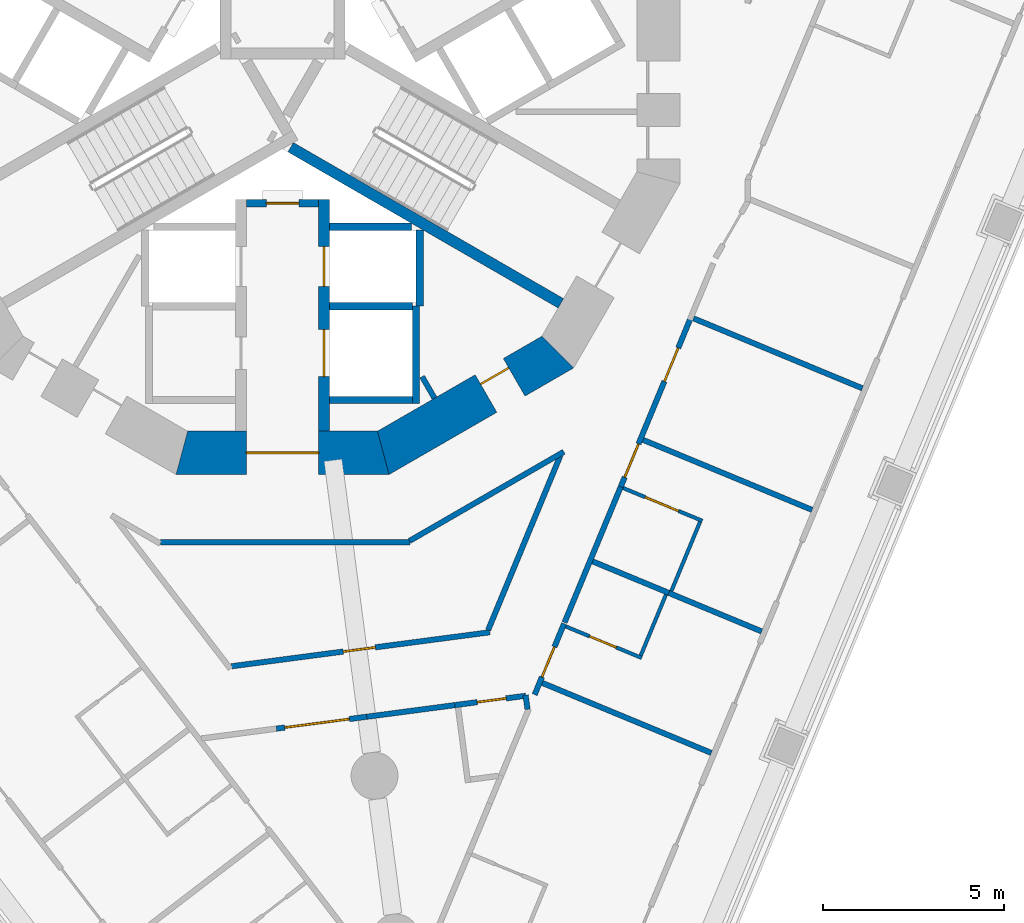
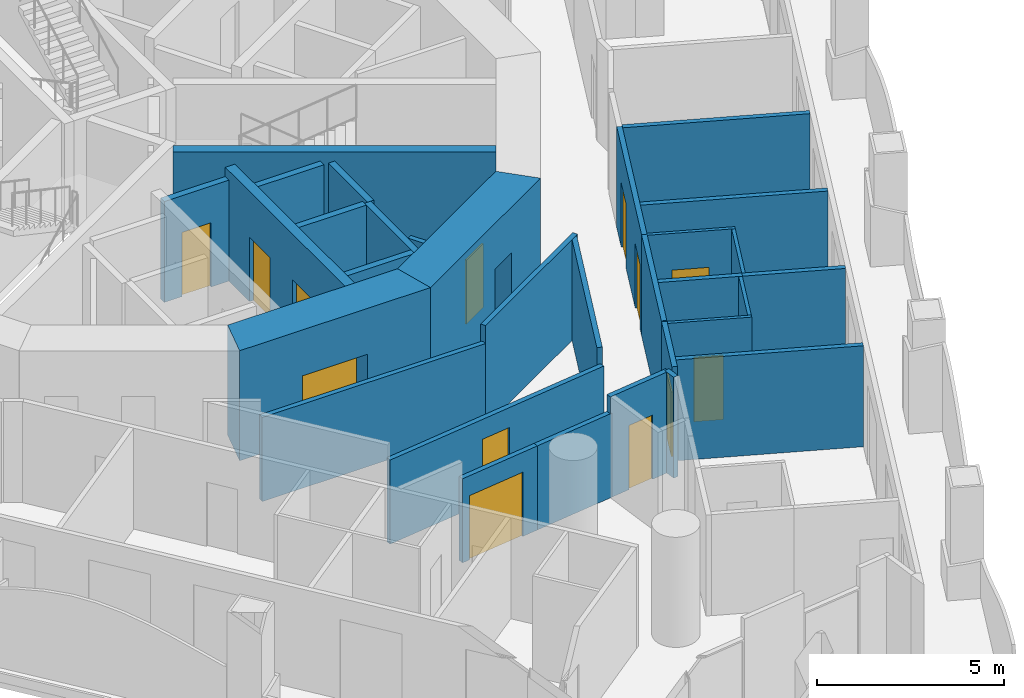
# One storey, part 4 of 19: 31 walls, 13 doors, 13 openings.
"""IFC4 building model written with IfcOpenShell, lengths in metres."""

from ifc_helpers import new_model, si_unit, direction, frame, frame_2d, origin, place, context, subcontext, project, spatial, polyline, rectangle, outline, extrude, material, layer, layer_set, type_object, element, fill, save


model = new_model("IFC4")

# Units and contexts
model_context = context("Model", 3, precision=1e-05, world=origin(), true_north=direction((0.0, 1.0)))
body_context = subcontext(model_context, "Body", "Model", "MODEL_VIEW")
ifc_project = project(units=[si_unit("LENGTHUNIT", "METRE"), si_unit("AREAUNIT", "SQUARE_METRE"), si_unit("VOLUMEUNIT", "CUBIC_METRE"), si_unit("PLANEANGLEUNIT", "RADIAN"), si_unit("MASSUNIT", "GRAM", prefix="KILO")], contexts=[model_context])

# Site, building, storey
site_placement = place(None, origin())
site = spatial("IfcSite", under=ifc_project, at=site_placement, CompositionType="ELEMENT")
building_placement = place(site_placement, origin())
building = spatial("IfcBuilding", under=site, at=building_placement, Name="Trine Commons Tower", CompositionType="ELEMENT")
storey_placement = place(building_placement, frame((0.0, 0.0, 68.39990234375)))
storey = spatial("IfcBuildingStorey", under=building, at=storey_placement, Name="L16", CompositionType="ELEMENT", Elevation=68.39990234375)

# Wall
ifc_material_1 = material(Name="Plasterboard partition on steel studs", Category="steel")
ifc_layer_1 = layer(ifc_material_1, 0.14990234375)
ifc_layer_set_1 = layer_set([ifc_layer_1], Name="Plasterboard partition on steel studs")
wall_type_1 = type_object("IfcWallType", Name="Core room partition 150 mm, EI 60", PredefinedType="PARTITIONING", material=ifc_layer_set_1)
wall_1_placement = place(storey_placement, frame((84.2099609375, 53.60205078125, 0.0), z_axis=(0.0, 0.0, 1.0), x_axis=(-0.500366091518, 0.865813937552, 0.0)))
element("IfcWall", 1, at=wall_1_placement, inside=storey, type_object=wall_type_1, Name="Core room partition L16", PredefinedType="PARTITIONING", context=body_context, shape_type="SweptSolid", body=[
    extrude(rectangle(XDim=0.689453125, YDim=0.14990234375, at=frame_2d((0.3447265625, 0.0))), origin(), (0.0, 0.0, 1.0), 3.300048828125),
])

# Wall, opening, door
ifc_material_2 = material(Name="Fire-rated gypsum shaft wall system")
ifc_layer_2 = layer(ifc_material_2, 0.199951171875)
ifc_layer_set_2 = layer_set([ifc_layer_2], Name="Fire-rated gypsum shaft wall system")
wall_type_2 = type_object("IfcWallType", Name="Lobby end wall 200 mm, EI 120", PredefinedType="PARTITIONING", material=ifc_layer_set_2)
wall_2_placement = place(storey_placement, frame((79.0, 59.0, 0.0), z_axis=(0.0, 0.0, 1.0), x_axis=(1.0, 0.0, 0.0)))
wall_2 = element("IfcWall", 2, at=wall_2_placement, inside=storey, type_object=wall_type_2, Name="Lobby end wall L16", PredefinedType="PARTITIONING", context=body_context, shape_type="SweptSolid", body=[
    extrude(rectangle(XDim=2.0, YDim=0.199951171875, at=frame_2d((1.0, 0.0))), origin(), (0.0, 0.0, 1.0), 3.300048828125),
])
opening_1_placement = place(wall_2_placement, frame((0.550048828125, 0.0, 0.0)))
opening_1 = element("IfcOpeningElement", 3, at=opening_1_placement, cuts=wall_2, Name="Opening K07.09", PredefinedType="OPENING", context=body_context, shape_type="SweptSolid", body=[
    extrude(rectangle(XDim=0.89990234375, YDim=2.10009765625, at=frame_2d((0.449951171875, 1.050048828125))), frame((0.0, 0.10986328125, 0.0), z_axis=(0.0, -1.0, 0.0), x_axis=(1.0, 0.0, 0.0)), (0.0, 0.0, 1.0), 0.219970703125),
])
ifc_material_3 = material(Name="Steel door leaf, fire-rated", Category="steel")
door_type_1 = type_object("IfcDoorType", Name="Riser access door, single leaf 900 x 2100, FD60", OperationType="SINGLE_SWING_LEFT", PredefinedType="DOOR", material=ifc_material_3)
door_1_placement = place(opening_1_placement, frame((0.89990234375, 0.0, 0.0), z_axis=(0.0, 0.0, 1.0), x_axis=(-1.0, 0.0, 0.0)))
door_1 = element("IfcDoor", 4, at=door_1_placement, inside=storey, type_object=door_type_1, Name="Riser door, Communications riser L16", OperationType="SINGLE_SWING_RIGHT", OverallHeight=2.10009765625, OverallWidth=0.89990234375, PredefinedType="DOOR", context=body_context, shape_type="SweptSolid", body=[
    extrude(rectangle(XDim=0.89990234375, YDim=2.10009765625, at=frame_2d((0.449951171875, 1.050048828125))), frame((0.0, 0.02490234375, 0.0), z_axis=(0.0, -1.0, 0.0), x_axis=(1.0, 0.0, 0.0)), (0.0, 0.0, 1.0), 0.050048828125),
])
fill(opening_1, door_1)

ifc_material_4 = material(Name="Concrete C80/95", Category="concrete")
ifc_layer_3 = layer(ifc_material_4, 1.199951171875)
ifc_layer_set_3 = layer_set([ifc_layer_3], Name="Concrete C80/95")
wall_type_3 = type_object("IfcWallType", Name="RC shear wall 1200 mm, C80/95", PredefinedType="SHEAR", material=ifc_layer_set_3)
wall_3_placement = place(storey_placement, frame((77.049560546875, 52.08837890625, 0.0), z_axis=(0.0, 0.0, 1.0), x_axis=(1.0, 0.0, 0.0)))
wall_3 = element("IfcWall", 5, at=wall_3_placement, inside=storey, type_object=wall_type_3, Name="Core wall CWB-10 L16", PredefinedType="SHEAR", context=body_context, shape_type="SweptSolid", body=[
    extrude(outline(polyline([(0.0, -0.60009765625), (5.90087890625, -0.60009765625), (5.57958984375, 0.60009765625), (0.321533203125, 0.60009765625), (0.0, -0.60009765625)])), origin(), (0.0, 0.0, 1.0), 3.60009765625),
])
opening_2_placement = place(wall_3_placement, frame((1.950439453125, 0.0, 0.0)))
opening_2 = element("IfcOpeningElement", 6, at=opening_2_placement, cuts=wall_3, Name="Opening K07.08", PredefinedType="OPENING", context=body_context, shape_type="SweptSolid", body=[
    extrude(rectangle(XDim=2.0, YDim=2.10009765625, at=frame_2d((1.0, 1.050048828125))), frame((0.0, 0.60986328125, 0.0), z_axis=(0.0, -1.0, 0.0), x_axis=(1.0, 0.0, 0.0)), (0.0, 0.0, 1.0), 1.219970703125),
])
ifc_material_5 = material(Name="Steel door leaves, fire-rated", Category="steel")
door_type_2 = type_object("IfcDoorType", Name="Lobby door, double leaf 2000 x 2100, FD60", OperationType="DOUBLE_DOOR_SINGLE_SWING", PredefinedType="DOOR", material=ifc_material_5)
door_2_placement = place(opening_2_placement, origin())
door_2 = element("IfcDoor", 7, at=door_2_placement, inside=storey, type_object=door_type_2, Name="Lobby door, Service and firefighting lobby L16", OperationType="DOUBLE_DOOR_SINGLE_SWING", OverallHeight=2.10009765625, OverallWidth=2.0, PredefinedType="DOOR", context=body_context, shape_type="SweptSolid", body=[
    extrude(rectangle(XDim=2.0, YDim=2.10009765625, at=frame_2d((1.0, 1.050048828125))), frame((0.0, 0.02490234375, 0.0), z_axis=(0.0, -1.0, 0.0), x_axis=(1.0, 0.0, 0.0)), (0.0, 0.0, 1.0), 0.050048828125),
])
fill(opening_2, door_2)

wall_4_placement = place(storey_placement, frame((82.650390625, 52.008056640625, 0.0), z_axis=(0.0, 0.0, 1.0), x_axis=(0.866037463336, 0.499979111662, 0.0)))
wall_4 = element("IfcWall", 8, at=wall_4_placement, inside=storey, type_object=wall_type_3, Name="Core wall CWB-11 L16", PredefinedType="SHEAR", context=body_context, shape_type="SweptSolid", body=[
    extrude(outline(polyline([(0.0, -0.60009765625), (5.901123046875, -0.60009765625), (5.57958984375, 0.60009765625), (0.321533203125, 0.60009765625), (0.0, -0.60009765625)])), origin(), (0.0, 0.0, 1.0), 3.60009765625),
])
opening_3_placement = place(wall_4_placement, frame((3.44677734375, 0.0, 0.0)))
opening_3 = element("IfcOpeningElement", 9, at=opening_3_placement, cuts=wall_4, Name="Opening K07.17", PredefinedType="OPENING", context=body_context, shape_type="SweptSolid", body=[
    extrude(rectangle(XDim=0.89990234375, YDim=2.10009765625, at=frame_2d((0.449951171875, 1.050048828125))), frame((0.0, 0.60986328125, 0.0), z_axis=(0.0, -1.0, 0.0), x_axis=(1.0, 0.0, 0.0)), (0.0, 0.0, 1.0), 1.219970703125),
])
door_type_3 = type_object("IfcDoorType", Name="Core room door, single leaf 900 x 2100, FD30S", OperationType="SINGLE_SWING_LEFT", PredefinedType="DOOR", material=ifc_material_3)
door_3_placement = place(opening_3_placement, origin())
door_3 = element("IfcDoor", 10, at=door_3_placement, inside=storey, type_object=door_type_3, Name="Door to Pantry L16", OperationType="SINGLE_SWING_RIGHT", OverallHeight=2.10009765625, OverallWidth=0.89990234375, PredefinedType="DOOR", context=body_context, shape_type="SweptSolid", body=[
    extrude(rectangle(XDim=0.89990234375, YDim=2.10009765625, at=frame_2d((0.449951171875, 1.050048828125))), frame((0.0, 0.3251953125, 0.0), z_axis=(0.0, -1.0, 0.0), x_axis=(1.0, 0.0, 0.0)), (0.0, 0.0, 1.0), 0.050048828125),
])
fill(opening_3, door_3)

# Wall, openings, doors
ifc_layer_4 = layer(ifc_material_4, 0.300048828125)
ifc_layer_set_4 = layer_set([ifc_layer_4], Name="Concrete C80/95")
wall_type_4 = type_object("IfcWallType", Name="RC shear wall 300 mm, C80/95", PredefinedType="SHEAR", material=ifc_layer_set_4)
wall_5_placement = place(storey_placement, frame((81.14990234375, 59.10009765625, 0.0), z_axis=(0.0, 0.0, 1.0), x_axis=(0.0, -1.0, 0.0)))
wall_5 = element("IfcWall", 11, at=wall_5_placement, inside=storey, type_object=wall_type_4, Name="Core cross wall SWA-04 L16", PredefinedType="SHEAR", context=body_context, shape_type="SweptSolid", body=[
    extrude(rectangle(XDim=6.412109375, YDim=0.300048828125, at=frame_2d((3.2060546875, 0.0))), origin(), (0.0, 0.0, 1.0), 3.60009765625),
])
opening_4_placement = place(wall_5_placement, frame((3.60009765625, 0.0, 0.0)))
opening_4 = element("IfcOpeningElement", 12, at=opening_4_placement, cuts=wall_5, Name="Opening LD11", PredefinedType="OPENING", context=body_context, shape_type="SweptSolid", body=[
    extrude(rectangle(XDim=1.300048828125, YDim=2.10009765625, at=frame_2d((0.64990234375, 1.050048828125))), frame((0.0, 0.159912109375, 0.0), z_axis=(0.0, -1.0, 0.0), x_axis=(1.0, 0.0, 0.0)), (0.0, 0.0, 1.0), 0.320068359375),
])
opening_5_placement = place(wall_5_placement, frame((1.300048828125, 0.0, 0.0)))
opening_5 = element("IfcOpeningElement", 13, at=opening_5_placement, cuts=wall_5, Name="Opening LD9", PredefinedType="OPENING", context=body_context, shape_type="SweptSolid", body=[
    extrude(rectangle(XDim=1.10009765625, YDim=2.10009765625, at=frame_2d((0.550048828125, 1.050048828125))), frame((0.0, 0.159912109375, 0.0), z_axis=(0.0, -1.0, 0.0), x_axis=(1.0, 0.0, 0.0)), (0.0, 0.0, 1.0), 0.320068359375),
])
ifc_material_6 = material(Name="Stainless steel sliding door leaves", Category="steel")
door_type_4 = type_object("IfcDoorType", Name="Lift landing door, centre-opening sliding 1100 x 2100, FD90", OperationType="DOUBLE_DOOR_SLIDING", PredefinedType="DOOR", material=ifc_material_6)
door_4_placement = place(opening_5_placement, origin())
door_4 = element("IfcDoor", 14, at=door_4_placement, inside=storey, type_object=door_type_4, Name="Lift landing door FF1 L16", OperationType="DOUBLE_DOOR_SLIDING", OverallHeight=2.10009765625, OverallWidth=1.10009765625, PredefinedType="DOOR", context=body_context, shape_type="SweptSolid", body=[
    extrude(rectangle(XDim=1.10009765625, YDim=2.10009765625, at=frame_2d((0.550048828125, 1.050048828125))), frame((0.0, 0.02490234375, 0.0), z_axis=(0.0, -1.0, 0.0), x_axis=(1.0, 0.0, 0.0)), (0.0, 0.0, 1.0), 0.050048828125),
])
fill(opening_5, door_4)
door_type_5 = type_object("IfcDoorType", Name="Lift landing door, centre-opening sliding 1300 x 2100, FD90", OperationType="DOUBLE_DOOR_SLIDING", PredefinedType="DOOR", material=ifc_material_6)
door_5_placement = place(opening_4_placement, origin())
door_5 = element("IfcDoor", 15, at=door_5_placement, inside=storey, type_object=door_type_5, Name="Lift landing door G1 L16", OperationType="DOUBLE_DOOR_SLIDING", OverallHeight=2.10009765625, OverallWidth=1.300048828125, PredefinedType="DOOR", context=body_context, shape_type="SweptSolid", body=[
    extrude(rectangle(XDim=1.300048828125, YDim=2.10009765625, at=frame_2d((0.64990234375, 1.050048828125))), frame((0.0, 0.02490234375, 0.0), z_axis=(0.0, -1.0, 0.0), x_axis=(1.0, 0.0, 0.0)), (0.0, 0.0, 1.0), 0.050048828125),
])
fill(opening_4, door_5)

# Walls
wall_6_placement = place(storey_placement, frame((80.22509765625, 60.552001953125, 0.0), z_axis=(0.0, 0.0, 1.0), x_axis=(0.865965399159, -0.500103916661, 0.0)))
element("IfcWall", 16, at=wall_6_placement, inside=storey, type_object=wall_type_4, Name="Core cross wall SWA-13 L16", PredefinedType="SHEAR", context=body_context, shape_type="SweptSolid", body=[
    extrude(rectangle(XDim=8.642333984375, YDim=0.300048828125, at=frame_2d((4.3212890625, 0.0))), origin(), (0.0, 0.0, 1.0), 3.60009765625),
])
ifc_layer_5 = layer(ifc_material_2, 0.199951171875)
ifc_layer_set_5 = layer_set([ifc_layer_5], Name="Fire-rated gypsum shaft wall system")
wall_type_5 = type_object("IfcWallType", Name="Shaft wall 200 mm, EI 120", PredefinedType="PARTITIONING", material=ifc_layer_set_5)
for number, where, z_axis, x_axis, name in (
    (17, (81.300048828125, 53.550048828125, 0.0), (0.0, 0.0, 1.0), (1.0, 0.0, 0.0), "Shaft wall L16"),
    (18, (81.300048828125, 56.14990234375, 0.0), (0.0, 0.0, 1.0), (1.0, 0.0, 0.0), "Shaft wall L16"),
):
    element("IfcWall", number, at=place(storey_placement, frame(where, z_axis=z_axis, x_axis=x_axis)), inside=storey, type_object=wall_type_5, Name=name, PredefinedType="PARTITIONING", context=body_context, shape_type="SweptSolid", body=[
        extrude(rectangle(XDim=2.300048828125, YDim=0.199951171875, at=frame_2d((1.14990234375, 0.0))), origin(), (0.0, 0.0, 1.0), 3.300048828125),
    ])
wall_7_placement = place(storey_placement, frame((81.300048828125, 58.35009765625, 0.0), z_axis=(0.0, 0.0, 1.0), x_axis=(1.0, 0.0, 0.0)))
element("IfcWall", 19, at=wall_7_placement, inside=storey, type_object=wall_type_5, Name="Shaft wall L16", PredefinedType="PARTITIONING", context=body_context, shape_type="SweptSolid", body=[
    extrude(rectangle(XDim=2.264892578125, YDim=0.199951171875, at=frame_2d((1.13232421875, 0.0))), origin(), (0.0, 0.0, 1.0), 3.300048828125),
])
wall_8_placement = place(storey_placement, frame((83.699951171875, 56.14990234375, 0.0), z_axis=(0.0, 0.0, 1.0), x_axis=(0.0, -1.0, 0.0)))
element("IfcWall", 20, at=wall_8_placement, inside=storey, type_object=wall_type_5, Name="Shaft wall L16", PredefinedType="PARTITIONING", context=body_context, shape_type="SweptSolid", body=[
    extrude(rectangle(XDim=2.699951171875, YDim=0.199951171875, at=frame_2d((1.35009765625, 0.0))), origin(), (0.0, 0.0, 1.0), 3.300048828125),
])
wall_9_placement = place(storey_placement, frame((83.800048828125, 58.256103515625, 0.0), z_axis=(0.0, 0.0, 1.0), x_axis=(0.0, -1.0, 0.0)))
element("IfcWall", 21, at=wall_9_placement, inside=storey, type_object=wall_type_5, Name="Shaft wall L16", PredefinedType="PARTITIONING", context=body_context, shape_type="SweptSolid", body=[
    extrude(rectangle(XDim=2.106201171875, YDim=0.199951171875, at=frame_2d((1.05322265625, 0.0))), origin(), (0.0, 0.0, 1.0), 3.300048828125),
])
ifc_material_7 = material(Name="Gypsum plasterboard on steel stud", Category="steel")
ifc_layer_6 = layer(ifc_material_7, 0.14990234375)
ifc_layer_set_6 = layer_set([ifc_layer_6], Name="Gypsum plasterboard on steel stud")
wall_type_6 = type_object("IfcWallType", Name="Unit and corridor wall 150 mm, EI 60", PredefinedType="PARTITIONING", material=ifc_layer_set_6)
wall_10_placement = place(storey_placement, frame((76.6220703125, 49.613037109375, 0.0), z_axis=(0.0, 0.0, 1.0), x_axis=(1.0, 0.0, 0.0)))
element("IfcWall", 22, at=wall_10_placement, inside=storey, type_object=wall_type_6, Name="Partition 070", PredefinedType="PARTITIONING", context=body_context, shape_type="SweptSolid", body=[
    extrude(rectangle(XDim=6.906005859375, YDim=0.14990234375, at=frame_2d((3.453125, 0.0))), origin(), (0.0, 0.0, 1.0), 2.75),
])

# Wall, opening, door
wall_11_placement = place(storey_placement, frame((78.58642578125, 46.177734375, 0.0), z_axis=(0.0, 0.0, 1.0), x_axis=(0.991437356371, 0.130583185714, 0.0)))
wall_11 = element("IfcWall", 23, at=wall_11_placement, inside=storey, type_object=wall_type_6, Name="Partition 076", PredefinedType="PARTITIONING", context=body_context, shape_type="SweptSolid", body=[
    extrude(rectangle(XDim=7.21484375, YDim=0.14990234375, at=frame_2d((3.607421875, 0.0))), origin(), (0.0, 0.0, 1.0), 2.75),
])
opening_6_placement = place(wall_11_placement, frame((3.119873046875, 0.0, 0.0)))
opening_6 = element("IfcOpeningElement", 24, at=opening_6_placement, cuts=wall_11, Name="Opening D-2B31", PredefinedType="OPENING", context=body_context, shape_type="SweptSolid", body=[
    extrude(rectangle(XDim=0.89990234375, YDim=2.10009765625, at=frame_2d((0.449951171875, 1.050048828125))), frame((0.0, 0.0849609375, 0.0), z_axis=(0.0, -1.0, 0.0), x_axis=(1.0, 0.0, 0.0)), (0.0, 0.0, 1.0), 0.169921875),
])
ifc_material_8 = material(Name="Timber fire door set", Category="wood")
door_type_6 = type_object("IfcDoorType", Name="Service door 900 x 2100, FD30S", OperationType="NOTDEFINED", PredefinedType="DOOR", material=ifc_material_8)
door_6_placement = place(opening_6_placement, origin())
door_6 = element("IfcDoor", 25, at=door_6_placement, inside=storey, type_object=door_type_6, Name="Door D-2B31", OperationType="SINGLE_SWING_LEFT", OverallHeight=2.10009765625, OverallWidth=0.89990234375, PredefinedType="DOOR", context=body_context, shape_type="SweptSolid", body=[
    extrude(rectangle(XDim=0.89990234375, YDim=2.10009765625, at=frame_2d((0.449951171875, 1.050048828125))), frame((0.0, 0.02490234375, 0.0), z_axis=(0.0, -1.0, 0.0), x_axis=(1.0, 0.0, 0.0)), (0.0, 0.0, 1.0), 0.050048828125),
])
fill(opening_6, door_6)

wall_12_placement = place(storey_placement, frame((79.830078125, 44.450927734375, 0.0), z_axis=(0.0, 0.0, 1.0), x_axis=(0.991466141497, 0.130364451691, 0.0)))
wall_12 = element("IfcWall", 26, at=wall_12_placement, inside=storey, type_object=wall_type_6, Name="Partition 080", PredefinedType="PARTITIONING", context=body_context, shape_type="SweptSolid", body=[
    extrude(rectangle(XDim=2.5244140625, YDim=0.14990234375, at=frame_2d((1.26220703125, 0.0))), origin(), (0.0, 0.0, 1.0), 2.75),
])
opening_7_placement = place(wall_12_placement, frame((0.23486328125, 0.0, 0.0)))
opening_7 = element("IfcOpeningElement", 27, at=opening_7_placement, cuts=wall_12, Name="Opening D-2B02", PredefinedType="OPENING", context=body_context, shape_type="SweptSolid", body=[
    extrude(rectangle(XDim=1.800048828125, YDim=2.10009765625, at=frame_2d((0.89990234375, 1.050048828125))), frame((0.0, 0.0849609375, 0.0), z_axis=(0.0, -1.0, 0.0), x_axis=(1.0, 0.0, 0.0)), (0.0, 0.0, 1.0), 0.169921875),
])
door_type_7 = type_object("IfcDoorType", Name="Cluster entrance door 1800 x 2100, double leaf, FD30S", OperationType="DOUBLE_DOOR_DOUBLE_SWING", PredefinedType="DOOR", material=ifc_material_8)
door_7_placement = place(opening_7_placement, frame((1.800048828125, 0.0, 0.0), z_axis=(0.0, 0.0, 1.0), x_axis=(-1.0, 0.0, 0.0)))
door_7 = element("IfcDoor", 28, at=door_7_placement, inside=storey, type_object=door_type_7, Name="Door D-2B02", OperationType="DOUBLE_DOOR_DOUBLE_SWING", OverallHeight=2.10009765625, OverallWidth=1.800048828125, PredefinedType="DOOR", context=body_context, shape_type="SweptSolid", body=[
    extrude(rectangle(XDim=1.800048828125, YDim=2.10009765625, at=frame_2d((0.89990234375, 1.050048828125))), frame((0.0, 0.02490234375, 0.0), z_axis=(0.0, -1.0, 0.0), x_axis=(1.0, 0.0, 0.0)), (0.0, 0.0, 1.0), 0.050048828125),
])
fill(opening_7, door_7)

# Walls
wall_13_placement = place(storey_placement, frame((82.3330078125, 44.780029296875, 0.0), z_axis=(0.0, 0.0, 1.0), x_axis=(0.991416071527, 0.130744686764, 0.0)))
element("IfcWall", 29, at=wall_13_placement, inside=storey, type_object=wall_type_6, Name="Partition 082", PredefinedType="PARTITIONING", context=body_context, shape_type="SweptSolid", body=[
    extrude(rectangle(XDim=2.524658203125, YDim=0.14990234375, at=frame_2d((1.26220703125, 0.0))), origin(), (0.0, 0.0, 1.0), 2.75),
])
wall_14_placement = place(storey_placement, frame((83.517822265625, 49.650390625, 0.0), z_axis=(0.0, 0.0, 1.0), x_axis=(0.865971288988, 0.500093717866, 0.0)))
element("IfcWall", 30, at=wall_14_placement, inside=storey, type_object=wall_type_6, Name="Partition 084", PredefinedType="PARTITIONING", context=body_context, shape_type="SweptSolid", body=[
    extrude(rectangle(XDim=4.93310546875, YDim=0.14990234375, at=frame_2d((2.466552734375, 0.0))), origin(), (0.0, 0.0, 1.0), 3.300048828125),
])

# Wall, opening, door
wall_15_placement = place(storey_placement, frame((84.772705078125, 45.102294921875, 0.0), z_axis=(0.0, 0.0, 1.0), x_axis=(0.991450105095, 0.130486356022, 0.0)))
wall_15 = element("IfcWall", 31, at=wall_15_placement, inside=storey, type_object=wall_type_6, Name="Partition 087", PredefinedType="PARTITIONING", context=body_context, shape_type="SweptSolid", body=[
    extrude(rectangle(XDim=1.983154296875, YDim=0.14990234375, at=frame_2d((0.99169921875, 0.0))), origin(), (0.0, 0.0, 1.0), 3.300048828125),
])
opening_8_placement = place(wall_15_placement, frame((0.629150390625, 0.0, 0.0)))
opening_8 = element("IfcOpeningElement", 32, at=opening_8_placement, cuts=wall_15, Name="Opening D-2B05", PredefinedType="OPENING", context=body_context, shape_type="SweptSolid", body=[
    extrude(rectangle(XDim=0.800048828125, YDim=2.10009765625, at=frame_2d((0.39990234375, 1.050048828125))), frame((0.0, 0.0849609375, 0.0), z_axis=(0.0, -1.0, 0.0), x_axis=(1.0, 0.0, 0.0)), (0.0, 0.0, 1.0), 0.169921875),
])
ifc_material_9 = material(Name="Painted timber", Category="wood")
door_type_8 = type_object("IfcDoorType", Name="Toilet door 800 x 2100, NOT RATED", OperationType="NOTDEFINED", PredefinedType="DOOR", material=ifc_material_9)
door_8_placement = place(opening_8_placement, frame((0.800048828125, 0.0, 0.0), z_axis=(0.0, 0.0, 1.0), x_axis=(-1.0, 0.0, 0.0)))
door_8 = element("IfcDoor", 33, at=door_8_placement, inside=storey, type_object=door_type_8, Name="Door D-2B05", OperationType="SINGLE_SWING_LEFT", OverallHeight=2.10009765625, OverallWidth=0.800048828125, PredefinedType="DOOR", context=body_context, shape_type="SweptSolid", body=[
    extrude(rectangle(XDim=0.800048828125, YDim=2.10009765625, at=frame_2d((0.39990234375, 1.050048828125))), frame((0.0, 0.02490234375, 0.0), z_axis=(0.0, -1.0, 0.0), x_axis=(1.0, 0.0, 0.0)), (0.0, 0.0, 1.0), 0.050048828125),
])
fill(opening_8, door_8)

# Walls
wall_16_placement = place(storey_placement, frame((85.693603515625, 47.17919921875, 0.0), z_axis=(0.0, 0.0, 1.0), x_axis=(0.382564920946, 0.923928612643, 0.0)))
element("IfcWall", 34, at=wall_16_placement, inside=storey, type_object=wall_type_6, Name="Partition 094", PredefinedType="PARTITIONING", context=body_context, shape_type="SweptSolid", body=[
    extrude(rectangle(XDim=5.227294921875, YDim=0.14990234375, at=frame_2d((2.61376953125, 0.0))), origin(), (0.0, 0.0, 1.0), 3.300048828125),
])
wall_17_placement = place(storey_placement, frame((86.732177734375, 45.380859375, 0.0), z_axis=(0.0, 0.0, 1.0), x_axis=(0.131843859112, -0.99127049629, 0.0)))
element("IfcWall", 35, at=wall_17_placement, inside=storey, type_object=wall_type_6, Name="Partition 099", PredefinedType="PARTITIONING", context=body_context, shape_type="SweptSolid", body=[
    extrude(rectangle(XDim=0.39990234375, YDim=0.14990234375, at=frame_2d((0.199951171875, 0.0))), origin(), (0.0, 0.0, 1.0), 3.300048828125),
])

# Wall, opening, door
wall_18_placement = place(storey_placement, frame((86.98291015625, 45.39306640625, 0.0), z_axis=(0.0, 0.0, 1.0), x_axis=(0.382618621816, 0.923906375257, 0.0)))
wall_18 = element("IfcWall", 36, at=wall_18_placement, inside=storey, type_object=wall_type_6, Name="Partition 100", PredefinedType="PARTITIONING", context=body_context, shape_type="SweptSolid", body=[
    extrude(rectangle(XDim=2.1279296875, YDim=0.14990234375, at=frame_2d((1.06396484375, 0.0))), origin(), (0.0, 0.0, 1.0), 3.300048828125),
])
opening_9_placement = place(wall_18_placement, frame((0.52978515625, 0.0, 0.0)))
opening_9 = element("IfcOpeningElement", 37, at=opening_9_placement, cuts=wall_18, Name="Opening D-2B21", PredefinedType="OPENING", context=body_context, shape_type="SweptSolid", body=[
    extrude(rectangle(XDim=0.89990234375, YDim=2.10009765625, at=frame_2d((0.449951171875, 1.050048828125))), frame((0.0, 0.0849609375, 0.0), z_axis=(0.0, -1.0, 0.0), x_axis=(1.0, 0.0, 0.0)), (0.0, 0.0, 1.0), 0.169921875),
])
door_type_9 = type_object("IfcDoorType", Name="Bedroom door 900 x 2100, FD30S", OperationType="NOTDEFINED", PredefinedType="DOOR", material=ifc_material_8)
door_9_placement = place(opening_9_placement, frame((0.89990234375, 0.0, 0.0), z_axis=(0.0, 0.0, 1.0), x_axis=(-1.0, 0.0, 0.0)))
door_9 = element("IfcDoor", 38, at=door_9_placement, inside=storey, type_object=door_type_9, Name="Door D-2B21", OperationType="SINGLE_SWING_RIGHT", OverallHeight=2.10009765625, OverallWidth=0.89990234375, PredefinedType="DOOR", context=body_context, shape_type="SweptSolid", body=[
    extrude(rectangle(XDim=0.89990234375, YDim=2.10009765625, at=frame_2d((0.449951171875, 1.050048828125))), frame((0.0, 0.02490234375, 0.0), z_axis=(0.0, -1.0, 0.0), x_axis=(1.0, 0.0, 0.0)), (0.0, 0.0, 1.0), 0.050048828125),
])
fill(opening_9, door_9)

# Walls
wall_19_placement = place(storey_placement, frame((87.197265625, 45.71533203125, 0.0), z_axis=(0.0, 0.0, 1.0), x_axis=(0.923879340067, -0.382683896966, 0.0)))
element("IfcWall", 39, at=wall_19_placement, inside=storey, type_object=wall_type_6, Name="Partition 101", PredefinedType="PARTITIONING", context=body_context, shape_type="SweptSolid", body=[
    extrude(rectangle(XDim=5.064208984375, YDim=0.14990234375, at=frame_2d((2.5322265625, 0.0))), origin(), (0.0, 0.0, 1.0), 3.300048828125),
])
wall_20_placement = place(storey_placement, frame((87.81103515625, 47.39306640625, 0.0), z_axis=(0.0, 0.0, 1.0), x_axis=(0.382686112844, 0.923878422216, 0.0)))
element("IfcWall", 40, at=wall_20_placement, inside=storey, type_object=wall_type_6, Name="Partition 103", PredefinedType="PARTITIONING", context=body_context, shape_type="SweptSolid", body=[
    extrude(rectangle(XDim=4.063232421875, YDim=0.14990234375, at=frame_2d((2.03173828125, 0.0))), origin(), (0.0, 0.0, 1.0), 3.300048828125),
])
wall_21_placement = place(storey_placement, frame((88.59130859375, 49.081298828125, 0.0), z_axis=(0.0, 0.0, 1.0), x_axis=(0.924031187157, -0.382317100274, 0.0)))
element("IfcWall", 41, at=wall_21_placement, inside=storey, type_object=wall_type_6, Name="Partition 106", PredefinedType="PARTITIONING", context=body_context, shape_type="SweptSolid", body=[
    extrude(rectangle(XDim=2.279052734375, YDim=0.14990234375, at=frame_2d((1.1396484375, 0.0))), origin(), (0.0, 0.0, 1.0), 3.300048828125),
])

# Wall, openings, doors
wall_22_placement = place(storey_placement, frame((89.343994140625, 51.0927734375, 0.0), z_axis=(0.0, 0.0, 1.0), x_axis=(0.38248170609, 0.923963064471, 0.0)))
wall_22 = element("IfcWall", 42, at=wall_22_placement, inside=storey, type_object=wall_type_6, Name="Partition 108", PredefinedType="PARTITIONING", context=body_context, shape_type="SweptSolid", body=[
    extrude(rectangle(XDim=5.1455078125, YDim=0.14990234375, at=frame_2d((2.57275390625, 0.0))), origin(), (0.0, 0.0, 1.0), 3.300048828125),
])
opening_10_placement = place(wall_22_placement, frame((3.22021484375, 0.0, 0.0)))
opening_10 = element("IfcOpeningElement", 43, at=opening_10_placement, cuts=wall_22, Name="Opening D-2B19", PredefinedType="OPENING", context=body_context, shape_type="SweptSolid", body=[
    extrude(rectangle(XDim=1.0, YDim=2.10009765625, at=frame_2d((0.5, 1.050048828125))), frame((0.0, 0.0849609375, 0.0), z_axis=(0.0, -1.0, 0.0), x_axis=(1.0, 0.0, 0.0)), (0.0, 0.0, 1.0), 0.169921875),
])
opening_11_placement = place(wall_22_placement, frame((0.34716796875, 0.0, 0.0)))
opening_11 = element("IfcOpeningElement", 44, at=opening_11_placement, cuts=wall_22, Name="Opening D-2B20", PredefinedType="OPENING", context=body_context, shape_type="SweptSolid", body=[
    extrude(rectangle(XDim=1.0, YDim=2.10009765625, at=frame_2d((0.5, 1.050048828125))), frame((0.0, 0.0849609375, 0.0), z_axis=(0.0, -1.0, 0.0), x_axis=(1.0, 0.0, 0.0)), (0.0, 0.0, 1.0), 0.169921875),
])
door_type_10 = type_object("IfcDoorType", Name="Amenity room door 1000 x 2100, NOT RATED", OperationType="NOTDEFINED", PredefinedType="DOOR", material=ifc_material_9)
door_10_placement = place(opening_10_placement, frame((1.0, 0.0, 0.0), z_axis=(0.0, 0.0, 1.0), x_axis=(-1.0, 0.0, 0.0)))
door_10 = element("IfcDoor", 45, at=door_10_placement, inside=storey, type_object=door_type_10, Name="Door D-2B19", OperationType="SINGLE_SWING_LEFT", OverallHeight=2.10009765625, OverallWidth=1.0, PredefinedType="DOOR", context=body_context, shape_type="SweptSolid", body=[
    extrude(rectangle(XDim=1.0, YDim=2.10009765625, at=frame_2d((0.5, 1.050048828125))), frame((0.0, 0.02490234375, 0.0), z_axis=(0.0, -1.0, 0.0), x_axis=(1.0, 0.0, 0.0)), (0.0, 0.0, 1.0), 0.050048828125),
])
fill(opening_10, door_10)
door_type_11 = type_object("IfcDoorType", Name="Bedroom door 1000 x 2100, FD30S", OperationType="NOTDEFINED", PredefinedType="DOOR", material=ifc_material_8)
door_11_placement = place(opening_11_placement, frame((1.0, 0.0, 0.0), z_axis=(0.0, 0.0, 1.0), x_axis=(-1.0, 0.0, 0.0)))
door_11 = element("IfcDoor", 46, at=door_11_placement, inside=storey, type_object=door_type_11, Name="Door D-2B20", OperationType="SINGLE_SWING_RIGHT", OverallHeight=2.10009765625, OverallWidth=1.0, PredefinedType="DOOR", context=body_context, shape_type="SweptSolid", body=[
    extrude(rectangle(XDim=1.0, YDim=2.10009765625, at=frame_2d((0.5, 1.050048828125))), frame((0.0, 0.02490234375, 0.0), z_axis=(0.0, -1.0, 0.0), x_axis=(1.0, 0.0, 0.0)), (0.0, 0.0, 1.0), 0.050048828125),
])
fill(opening_11, door_11)

# Walls
wall_23_placement = place(storey_placement, frame((89.986328125, 52.447265625, 0.0), z_axis=(0.0, 0.0, 1.0), x_axis=(0.923879340067, -0.382683896966, 0.0)))
element("IfcWall", 47, at=wall_23_placement, inside=storey, type_object=wall_type_6, Name="Partition 113", PredefinedType="PARTITIONING", context=body_context, shape_type="SweptSolid", body=[
    extrude(rectangle(XDim=5.064208984375, YDim=0.14990234375, at=frame_2d((2.5322265625, 0.0))), origin(), (0.0, 0.0, 1.0), 3.300048828125),
])
wall_24_placement = place(storey_placement, frame((90.69384765625, 48.211181640625, 0.0), z_axis=(0.0, 0.0, 1.0), x_axis=(0.923779882509, -0.382923920214, 0.0)))
element("IfcWall", 48, at=wall_24_placement, inside=storey, type_object=wall_type_6, Name="Partition 118", PredefinedType="PARTITIONING", context=body_context, shape_type="SweptSolid", body=[
    extrude(rectangle(XDim=2.788818359375, YDim=0.14990234375, at=frame_2d((1.39453125, 0.0))), origin(), (0.0, 0.0, 1.0), 3.300048828125),
])
wall_25_placement = place(storey_placement, frame((91.38037109375, 55.814208984375, 0.0), z_axis=(0.0, 0.0, 1.0), x_axis=(0.923879340067, -0.382683896966, 0.0)))
element("IfcWall", 49, at=wall_25_placement, inside=storey, type_object=wall_type_6, Name="Partition 122", PredefinedType="PARTITIONING", context=body_context, shape_type="SweptSolid", body=[
    extrude(rectangle(XDim=5.064208984375, YDim=0.14990234375, at=frame_2d((2.5322265625, 0.0))), origin(), (0.0, 0.0, 1.0), 3.300048828125),
])

# Wall, opening, door
ifc_layer_7 = layer(ifc_material_7, 0.10009765625)
ifc_layer_set_7 = layer_set([ifc_layer_7], Name="Gypsum plasterboard on steel stud")
wall_type_7 = type_object("IfcWallType", Name="Unit partition 100 mm, no rating", PredefinedType="PARTITIONING", material=ifc_layer_set_7)
wall_26_placement = place(storey_placement, frame((87.84521484375, 47.2802734375, 0.0), z_axis=(0.0, 0.0, 1.0), x_axis=(0.92378006954, -0.382923469012, 0.0)))
wall_26 = element("IfcWall", 50, at=wall_26_placement, inside=storey, type_object=wall_type_7, Name="Partition 102", PredefinedType="PARTITIONING", context=body_context, shape_type="SweptSolid", body=[
    extrude(rectangle(XDim=2.275390625, YDim=0.10009765625, at=frame_2d((1.1376953125, 0.0))), origin(), (0.0, 0.0, 1.0), 3.300048828125),
])
opening_12_placement = place(wall_26_placement, frame((0.712646484375, 0.0, 0.0)))
opening_12 = element("IfcOpeningElement", 51, at=opening_12_placement, cuts=wall_26, Name="Opening D-2B49", PredefinedType="OPENING", context=body_context, shape_type="SweptSolid", body=[
    extrude(rectangle(XDim=0.800048828125, YDim=2.10009765625, at=frame_2d((0.39990234375, 1.050048828125))), frame((0.0, 0.06005859375, 0.0), z_axis=(0.0, -1.0, 0.0), x_axis=(1.0, 0.0, 0.0)), (0.0, 0.0, 1.0), 0.1201171875),
])
door_type_12 = type_object("IfcDoorType", Name="Internal door 800 x 2100, NOT RATED", OperationType="NOTDEFINED", PredefinedType="DOOR", material=ifc_material_9)
door_12_placement = place(opening_12_placement, frame((0.800048828125, 0.0, 0.0), z_axis=(0.0, 0.0, 1.0), x_axis=(-1.0, 0.0, 0.0)))
door_12 = element("IfcDoor", 52, at=door_12_placement, inside=storey, type_object=door_type_12, Name="Door D-2B49", OperationType="SINGLE_SWING_RIGHT", OverallHeight=2.10009765625, OverallWidth=0.800048828125, PredefinedType="DOOR", context=body_context, shape_type="SweptSolid", body=[
    extrude(rectangle(XDim=0.800048828125, YDim=2.10009765625, at=frame_2d((0.39990234375, 1.050048828125))), frame((0.0, 0.02490234375, 0.0), z_axis=(0.0, -1.0, 0.0), x_axis=(1.0, 0.0, 0.0)), (0.0, 0.0, 1.0), 0.050048828125),
])
fill(opening_12, door_12)

wall_27_placement = place(storey_placement, frame((89.433349609375, 51.1142578125, 0.0), z_axis=(0.0, 0.0, 1.0), x_axis=(0.923835198522, -0.382790446551, 0.0)))
wall_27 = element("IfcWall", 53, at=wall_27_placement, inside=storey, type_object=wall_type_7, Name="Partition 109", PredefinedType="PARTITIONING", context=body_context, shape_type="SweptSolid", body=[
    extrude(rectangle(XDim=2.375732421875, YDim=0.10009765625, at=frame_2d((1.18798828125, 0.0))), origin(), (0.0, 0.0, 1.0), 3.300048828125),
])
opening_13_placement = place(wall_27_placement, frame((0.662841796875, 0.0, 0.0)))
opening_13 = element("IfcOpeningElement", 54, at=opening_13_placement, cuts=wall_27, Name="Opening D-2B48", PredefinedType="OPENING", context=body_context, shape_type="SweptSolid", body=[
    extrude(rectangle(XDim=1.0, YDim=2.10009765625, at=frame_2d((0.5, 1.050048828125))), frame((0.0, 0.06005859375, 0.0), z_axis=(0.0, -1.0, 0.0), x_axis=(1.0, 0.0, 0.0)), (0.0, 0.0, 1.0), 0.1201171875),
])
door_type_13 = type_object("IfcDoorType", Name="Internal door 1000 x 2100, NOT RATED", OperationType="NOTDEFINED", PredefinedType="DOOR", material=ifc_material_9)
door_13_placement = place(opening_13_placement, origin())
door_13 = element("IfcDoor", 55, at=door_13_placement, inside=storey, type_object=door_type_13, Name="Door D-2B48", OperationType="SINGLE_SWING_LEFT", OverallHeight=2.10009765625, OverallWidth=1.0, PredefinedType="DOOR", context=body_context, shape_type="SweptSolid", body=[
    extrude(rectangle(XDim=1.0, YDim=2.10009765625, at=frame_2d((0.5, 1.050048828125))), frame((0.0, 0.02490234375, 0.0), z_axis=(0.0, -1.0, 0.0), x_axis=(1.0, 0.0, 0.0)), (0.0, 0.0, 1.0), 0.050048828125),
])
fill(opening_13, door_13)

# Walls
wall_28_placement = place(storey_placement, frame((89.920166015625, 46.47412109375, 0.0), z_axis=(0.0, 0.0, 1.0), x_axis=(0.382525049986, 0.923945120737, 0.0)))
element("IfcWall", 56, at=wall_28_placement, inside=storey, type_object=wall_type_7, Name="Partition 112", PredefinedType="PARTITIONING", context=body_context, shape_type="SweptSolid", body=[
    extrude(rectangle(XDim=1.825439453125, YDim=0.10009765625, at=frame_2d((0.91259765625, 0.0))), origin(), (0.0, 0.0, 1.0), 3.300048828125),
])
wall_29_placement = place(storey_placement, frame((90.768798828125, 48.26123046875, 0.0), z_axis=(0.0, 0.0, 1.0), x_axis=(0.382826421446, 0.92382029153, 0.0)))
element("IfcWall", 57, at=wall_29_placement, inside=storey, type_object=wall_type_7, Name="Partition 117", PredefinedType="PARTITIONING", context=body_context, shape_type="SweptSolid", body=[
    extrude(rectangle(XDim=2.074462890625, YDim=0.10009765625, at=frame_2d((1.037109375, 0.0))), origin(), (0.0, 0.0, 1.0), 3.300048828125),
])

save(model, "model.ifc")
